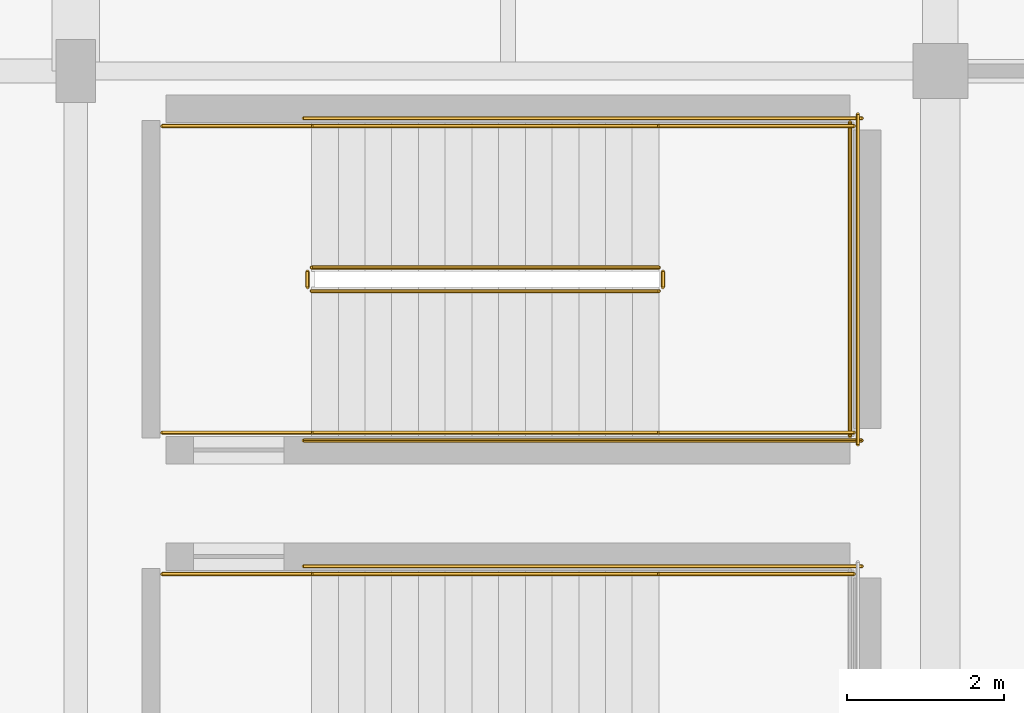
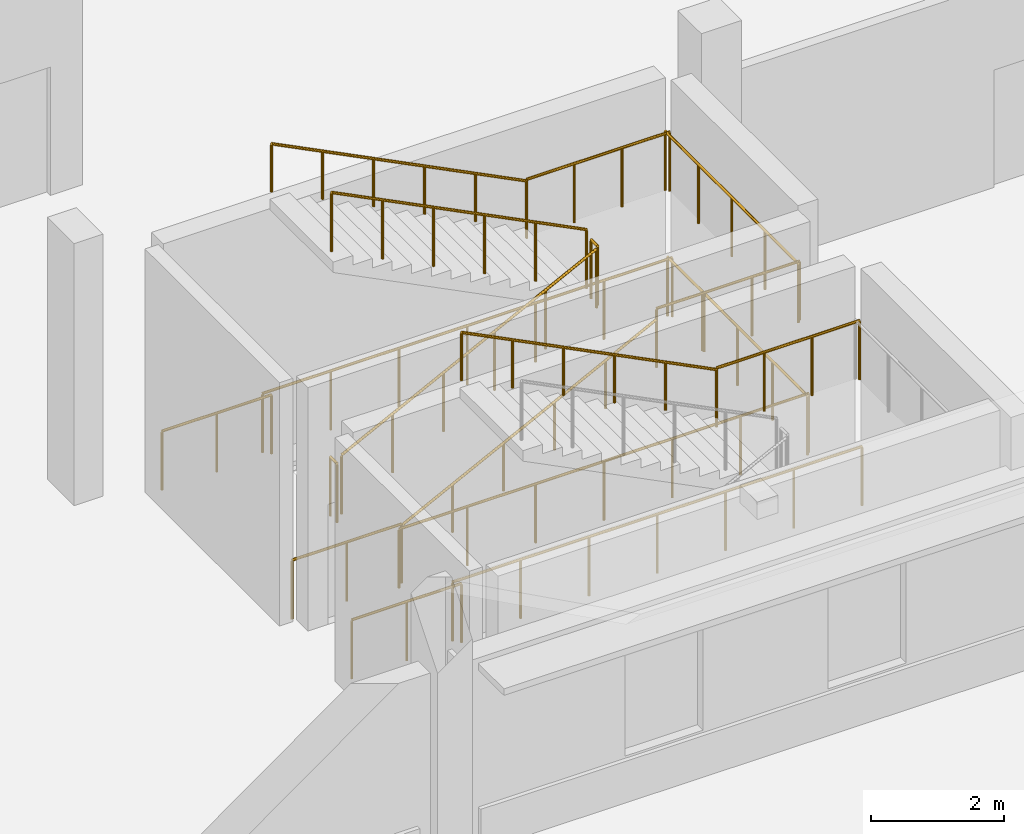
# One storey, part 132 of 143: 18 railings.
"""IFC4 building model written with IfcOpenShell, lengths in metres."""

from ifc_helpers import new_model, si_unit, direction, frame, origin, origin_2d, place, context, subcontext, project, spatial, circle, extrude, material, type_object, element, save


model = new_model("IFC4")

# Units and contexts
model_context = context("Model", 3, precision=1e-05, world=origin(), true_north=direction((0.0, 1.0)))
body_context = subcontext(model_context, "Body", "Model", "MODEL_VIEW")
ifc_project = project(units=[si_unit("LENGTHUNIT", "METRE"), si_unit("AREAUNIT", "SQUARE_METRE"), si_unit("VOLUMEUNIT", "CUBIC_METRE"), si_unit("PLANEANGLEUNIT", "RADIAN"), si_unit("MASSUNIT", "GRAM", prefix="KILO")], contexts=[model_context])

# Site, building, storey
site_placement = place(None, origin())
site = spatial("IfcSite", under=ifc_project, at=site_placement, CompositionType="ELEMENT")
building_placement = place(site_placement, origin())
building = spatial("IfcBuilding", under=site, at=building_placement, Name="Luwafu Chhajja Arena", CompositionType="ELEMENT")
storey_placement = place(building_placement, frame((0.0, 0.0, 5.39990234375)))
storey = spatial("IfcBuildingStorey", under=building, at=storey_placement, Name="L01", CompositionType="ELEMENT", Elevation=5.39990234375)

# Railings
ifc_material_1 = material(Name="Stainless steel handrail", Category="steel")
railing_type_1 = type_object("IfcRailingType", Name="Stair Pitch Wall Handrail 920", PredefinedType="HANDRAIL", material=ifc_material_1)
railing_1_placement = place(storey_placement, frame((183.419921875, 15.60009765625, 2.571533203125)))
element("IfcRailing", 1, at=railing_1_placement, inside=storey, type_object=railing_type_1, Name="L01 ST-15 stair handrail 2", PredefinedType="HANDRAIL", context=body_context, shape_type="SweptSolid", body=[
    extrude(circle(Radius=0.02392578125, at=origin_2d()), frame((0.0, 0.0, 0.8759765625), z_axis=(-0.89292277971, 0.0, 0.450209850486), x_axis=(0.0, -1.0, 0.0)), (0.0, 0.0, 1.0), 4.949951171875),
    extrude(circle(Radius=0.02099609375, at=origin_2d()), origin(), (0.0, 0.0, 1.0), 0.851806640625),
    extrude(circle(Radius=0.02099609375, at=origin_2d()), frame((-0.884033203125, 0.0, 0.44580078125)), (0.0, 0.0, 1.0), 0.851806640625),
    extrude(circle(Radius=0.02099609375, at=origin_2d()), frame((-1.76806640625, 0.0, 0.891357421875)), (0.0, 0.0, 1.0), 0.851806640625),
    extrude(circle(Radius=0.02099609375, at=origin_2d()), frame((-2.65185546875, 0.0, 1.337158203125)), (0.0, 0.0, 1.0), 0.851806640625),
    extrude(circle(Radius=0.02099609375, at=origin_2d()), frame((-3.535888671875, 0.0, 1.78271484375)), (0.0, 0.0, 1.0), 0.851806640625),
    extrude(circle(Radius=0.02099609375, at=origin_2d()), frame((-4.419921875, 0.0, 2.228515625)), (0.0, 0.0, 1.0), 0.851806640625),
])
railing_2_placement = place(storey_placement, frame((179.0, 17.39990234375, 0.171630859375)))
element("IfcRailing", 2, at=railing_2_placement, inside=storey, type_object=railing_type_1, Name="L01 ST-16 stair handrail 1", PredefinedType="HANDRAIL", context=body_context, shape_type="SweptSolid", body=[
    extrude(circle(Radius=0.02392578125, at=origin_2d()), frame((0.0, 0.0, 0.8759765625), z_axis=(0.89292277971, 0.0, 0.450209850486), x_axis=(0.0, 1.0, 0.0)), (0.0, 0.0, 1.0), 4.949951171875),
    extrude(circle(Radius=0.02099609375, at=origin_2d()), origin(), (0.0, 0.0, 1.0), 0.851806640625),
    extrude(circle(Radius=0.02099609375, at=origin_2d()), frame((0.884033203125, 0.0, 0.44580078125)), (0.0, 0.0, 1.0), 0.851806640625),
    extrude(circle(Radius=0.02099609375, at=origin_2d()), frame((1.76806640625, 0.0, 0.891357421875)), (0.0, 0.0, 1.0), 0.851806640625),
    extrude(circle(Radius=0.02099609375, at=origin_2d()), frame((2.65185546875, 0.0, 1.337158203125)), (0.0, 0.0, 1.0), 0.851806640625),
    extrude(circle(Radius=0.02099609375, at=origin_2d()), frame((3.535888671875, 0.0, 1.78271484375)), (0.0, 0.0, 1.0), 0.851806640625),
    extrude(circle(Radius=0.02099609375, at=origin_2d()), frame((4.419921875, 0.0, 2.228515625)), (0.0, 0.0, 1.0), 0.851806640625),
])
railing_3_placement = place(storey_placement, frame((183.419921875, 21.300048828125, 2.571533203125)))
element("IfcRailing", 3, at=railing_3_placement, inside=storey, type_object=railing_type_1, Name="L01 ST-16 stair handrail 2", PredefinedType="HANDRAIL", context=body_context, shape_type="SweptSolid", body=[
    extrude(circle(Radius=0.02392578125, at=origin_2d()), frame((0.0, 0.0, 0.8759765625), z_axis=(-0.89292277971, 0.0, 0.450209850486), x_axis=(0.0, -1.0, 0.0)), (0.0, 0.0, 1.0), 4.949951171875),
    extrude(circle(Radius=0.02099609375, at=origin_2d()), origin(), (0.0, 0.0, 1.0), 0.851806640625),
    extrude(circle(Radius=0.02099609375, at=origin_2d()), frame((-0.884033203125, 0.0, 0.44580078125)), (0.0, 0.0, 1.0), 0.851806640625),
    extrude(circle(Radius=0.02099609375, at=origin_2d()), frame((-1.76806640625, 0.0, 0.891357421875)), (0.0, 0.0, 1.0), 0.851806640625),
    extrude(circle(Radius=0.02099609375, at=origin_2d()), frame((-2.65185546875, 0.0, 1.337158203125)), (0.0, 0.0, 1.0), 0.851806640625),
    extrude(circle(Radius=0.02099609375, at=origin_2d()), frame((-3.535888671875, 0.0, 1.78271484375)), (0.0, 0.0, 1.0), 0.851806640625),
    extrude(circle(Radius=0.02099609375, at=origin_2d()), frame((-4.419921875, 0.0, 2.228515625)), (0.0, 0.0, 1.0), 0.851806640625),
])
ifc_material_2 = material(Name="Stainless steel balustrade", Category="steel")
railing_type_2 = type_object("IfcRailingType", Name="Stair and Terrace Guard Balustrade 1100", PredefinedType="BALUSTRADE", material=ifc_material_2)
railing_4_placement = place(storey_placement, frame((183.419921875, 15.60009765625, 2.400146484375)))
element("IfcRailing", 4, at=railing_4_placement, inside=storey, type_object=railing_type_2, Name="L01 ST-15 stair guard 4", PredefinedType="BALUSTRADE", context=body_context, shape_type="SweptSolid", body=[
    extrude(circle(Radius=0.02392578125, at=origin_2d()), frame((0.0, 0.0, 1.076171875), z_axis=(1.0, 0.0, 0.0), x_axis=(0.0, 1.0, 0.0)), (0.0, 0.0, 1.0), 2.47998046875),
    extrude(circle(Radius=0.02099609375, at=origin_2d()), origin(), (0.0, 0.0, 1.0), 1.052001953125),
    extrude(circle(Radius=0.02099609375, at=origin_2d()), frame((0.82666015625, 0.0, 0.0)), (0.0, 0.0, 1.0), 1.052001953125),
    extrude(circle(Radius=0.02099609375, at=origin_2d()), frame((1.6533203125, 0.0, 0.0)), (0.0, 0.0, 1.0), 1.052001953125),
    extrude(circle(Radius=0.02099609375, at=origin_2d()), frame((2.47998046875, 0.0, 0.0)), (0.0, 0.0, 1.0), 1.052001953125),
])
railing_5_placement = place(storey_placement, frame((177.10009765625, 15.60009765625, 0.0)))
element("IfcRailing", 5, at=railing_5_placement, inside=storey, type_object=railing_type_2, Name="L01 ST-15 stair guard 9", PredefinedType="BALUSTRADE", context=body_context, shape_type="SweptSolid", body=[
    extrude(circle(Radius=0.02392578125, at=origin_2d()), frame((0.0, 0.0, 1.076171875), z_axis=(1.0, 0.0, 0.0), x_axis=(0.0, 1.0, 0.0)), (0.0, 0.0, 1.0), 1.89990234375),
    extrude(circle(Radius=0.02099609375, at=origin_2d()), origin(), (0.0, 0.0, 1.0), 1.052001953125),
    extrude(circle(Radius=0.02099609375, at=origin_2d()), frame((0.949951171875, 0.0, 0.0)), (0.0, 0.0, 1.0), 1.052001953125),
    extrude(circle(Radius=0.02099609375, at=origin_2d()), frame((1.89990234375, 0.0, 0.0)), (0.0, 0.0, 1.0), 1.052001953125),
])
railing_6_placement = place(storey_placement, frame((178.89990234375, 15.699951171875, 0.0)))
element("IfcRailing", 6, at=railing_6_placement, inside=storey, type_object=railing_type_2, Name="L01 ST-15 stair guard 11", PredefinedType="BALUSTRADE", context=body_context, shape_type="SweptSolid", body=[
    extrude(circle(Radius=0.02392578125, at=origin_2d()), frame((0.0, 0.0, 1.076171875), z_axis=(1.0, 0.0, 0.0), x_axis=(0.0, 1.0, 0.0)), (0.0, 0.0, 1.0), 7.10009765625),
    extrude(circle(Radius=0.02099609375, at=origin_2d()), origin(), (0.0, 0.0, 1.0), 1.052001953125),
    extrude(circle(Radius=0.02099609375, at=origin_2d()), frame((1.183349609375, 0.0, 0.0)), (0.0, 0.0, 1.0), 1.052001953125),
    extrude(circle(Radius=0.02099609375, at=origin_2d()), frame((2.36669921875, 0.0, 0.0)), (0.0, 0.0, 1.0), 1.052001953125),
    extrude(circle(Radius=0.02099609375, at=origin_2d()), frame((3.550048828125, 0.0, 0.0)), (0.0, 0.0, 1.0), 1.052001953125),
    extrude(circle(Radius=0.02099609375, at=origin_2d()), frame((4.7333984375, 0.0, 0.0)), (0.0, 0.0, 1.0), 1.052001953125),
    extrude(circle(Radius=0.02099609375, at=origin_2d()), frame((5.916748046875, 0.0, 0.0)), (0.0, 0.0, 1.0), 1.052001953125),
    extrude(circle(Radius=0.02099609375, at=origin_2d()), frame((7.10009765625, 0.0, 0.0)), (0.0, 0.0, 1.0), 1.052001953125),
])
railing_7_placement = place(storey_placement, frame((179.0, 19.199951171875, 0.171630859375)))
element("IfcRailing", 7, at=railing_7_placement, inside=storey, type_object=railing_type_2, Name="L01 ST-16 stair guard 1", PredefinedType="BALUSTRADE", context=body_context, shape_type="SweptSolid", body=[
    extrude(circle(Radius=0.02392578125, at=origin_2d()), frame((0.0, 0.0, 1.076171875), z_axis=(0.89292277971, 0.0, 0.450209850486), x_axis=(0.0, 1.0, 0.0)), (0.0, 0.0, 1.0), 4.949951171875),
    extrude(circle(Radius=0.02099609375, at=origin_2d()), origin(), (0.0, 0.0, 1.0), 1.052001953125),
    extrude(circle(Radius=0.02099609375, at=origin_2d()), frame((0.884033203125, 0.0, 0.44580078125)), (0.0, 0.0, 1.0), 1.052001953125),
    extrude(circle(Radius=0.02099609375, at=origin_2d()), frame((1.76806640625, 0.0, 0.891357421875)), (0.0, 0.0, 1.0), 1.052001953125),
    extrude(circle(Radius=0.02099609375, at=origin_2d()), frame((2.65185546875, 0.0, 1.337158203125)), (0.0, 0.0, 1.0), 1.052001953125),
    extrude(circle(Radius=0.02099609375, at=origin_2d()), frame((3.535888671875, 0.0, 1.78271484375)), (0.0, 0.0, 1.0), 1.052001953125),
    extrude(circle(Radius=0.02099609375, at=origin_2d()), frame((4.419921875, 0.0, 2.228515625)), (0.0, 0.0, 1.0), 1.052001953125),
])
railing_8_placement = place(storey_placement, frame((183.469970703125, 19.25, 2.400146484375)))
element("IfcRailing", 8, at=railing_8_placement, inside=storey, type_object=railing_type_2, Name="L01 ST-16 stair guard 2", PredefinedType="BALUSTRADE", context=body_context, shape_type="SweptSolid", body=[
    extrude(circle(Radius=0.02392578125, at=origin_2d()), frame((0.0, 0.0, 1.076171875), z_axis=(0.0, 1.0, 0.0), x_axis=(-1.0, 0.0, 0.0)), (0.0, 0.0, 1.0), 0.199951171875),
    extrude(circle(Radius=0.02099609375, at=origin_2d()), origin(), (0.0, 0.0, 1.0), 1.052001953125),
    extrude(circle(Radius=0.02099609375, at=origin_2d()), frame((0.0, 0.199951171875, 0.0)), (0.0, 0.0, 1.0), 1.052001953125),
])
for number, where, name in (
    (9, (183.419921875, 17.39990234375, 2.400146484375), "L01 ST-16 stair guard 3"),
    (10, (183.419921875, 21.300048828125, 2.400146484375), "L01 ST-16 stair guard 4"),
):
    element("IfcRailing", number, at=place(storey_placement, frame(where)), inside=storey, type_object=railing_type_2, Name=name, PredefinedType="BALUSTRADE", context=body_context, shape_type="SweptSolid", body=[
        extrude(circle(Radius=0.02392578125, at=origin_2d()), frame((0.0, 0.0, 1.076171875), z_axis=(1.0, 0.0, 0.0), x_axis=(0.0, 1.0, 0.0)), (0.0, 0.0, 1.0), 2.47998046875),
        extrude(circle(Radius=0.02099609375, at=origin_2d()), origin(), (0.0, 0.0, 1.0), 1.052001953125),
        extrude(circle(Radius=0.02099609375, at=origin_2d()), frame((0.82666015625, 0.0, 0.0)), (0.0, 0.0, 1.0), 1.052001953125),
        extrude(circle(Radius=0.02099609375, at=origin_2d()), frame((1.6533203125, 0.0, 0.0)), (0.0, 0.0, 1.0), 1.052001953125),
        extrude(circle(Radius=0.02099609375, at=origin_2d()), frame((2.47998046875, 0.0, 0.0)), (0.0, 0.0, 1.0), 1.052001953125),
    ])
railing_9_placement = place(storey_placement, frame((185.85009765625, 17.35009765625, 2.400146484375)))
element("IfcRailing", 11, at=railing_9_placement, inside=storey, type_object=railing_type_2, Name="L01 ST-16 stair guard 5", PredefinedType="BALUSTRADE", context=body_context, shape_type="SweptSolid", body=[
    extrude(circle(Radius=0.02392578125, at=origin_2d()), frame((0.0, 0.0, 1.076171875), z_axis=(0.0, 1.0, 0.0), x_axis=(-1.0, 0.0, 0.0)), (0.0, 0.0, 1.0), 4.0),
    extrude(circle(Radius=0.02099609375, at=origin_2d()), origin(), (0.0, 0.0, 1.0), 1.052001953125),
    extrude(circle(Radius=0.02099609375, at=origin_2d()), frame((0.0, 1.0, 0.0)), (0.0, 0.0, 1.0), 1.052001953125),
    extrude(circle(Radius=0.02099609375, at=origin_2d()), frame((0.0, 2.0, 0.0)), (0.0, 0.0, 1.0), 1.052001953125),
    extrude(circle(Radius=0.02099609375, at=origin_2d()), frame((0.0, 3.0, 0.0)), (0.0, 0.0, 1.0), 1.052001953125),
    extrude(circle(Radius=0.02099609375, at=origin_2d()), frame((0.0, 4.0, 0.0)), (0.0, 0.0, 1.0), 1.052001953125),
])
railing_10_placement = place(storey_placement, frame((183.419921875, 19.5, 2.571533203125)))
element("IfcRailing", 12, at=railing_10_placement, inside=storey, type_object=railing_type_2, Name="L01 ST-16 stair guard 6", PredefinedType="BALUSTRADE", context=body_context, shape_type="SweptSolid", body=[
    extrude(circle(Radius=0.02392578125, at=origin_2d()), frame((0.0, 0.0, 1.076171875), z_axis=(-0.89292277971, 0.0, 0.450209850486), x_axis=(0.0, -1.0, 0.0)), (0.0, 0.0, 1.0), 4.949951171875),
    extrude(circle(Radius=0.02099609375, at=origin_2d()), origin(), (0.0, 0.0, 1.0), 1.052001953125),
    extrude(circle(Radius=0.02099609375, at=origin_2d()), frame((-0.884033203125, 0.0, 0.44580078125)), (0.0, 0.0, 1.0), 1.052001953125),
    extrude(circle(Radius=0.02099609375, at=origin_2d()), frame((-1.76806640625, 0.0, 0.891357421875)), (0.0, 0.0, 1.0), 1.052001953125),
    extrude(circle(Radius=0.02099609375, at=origin_2d()), frame((-2.65185546875, 0.0, 1.337158203125)), (0.0, 0.0, 1.0), 1.052001953125),
    extrude(circle(Radius=0.02099609375, at=origin_2d()), frame((-3.535888671875, 0.0, 1.78271484375)), (0.0, 0.0, 1.0), 1.052001953125),
    extrude(circle(Radius=0.02099609375, at=origin_2d()), frame((-4.419921875, 0.0, 2.228515625)), (0.0, 0.0, 1.0), 1.052001953125),
])
railing_11_placement = place(storey_placement, frame((178.949951171875, 19.25, 0.0)))
element("IfcRailing", 13, at=railing_11_placement, inside=storey, type_object=railing_type_2, Name="L01 ST-16 stair guard 7", PredefinedType="BALUSTRADE", context=body_context, shape_type="SweptSolid", body=[
    extrude(circle(Radius=0.02392578125, at=origin_2d()), frame((0.0, 0.0, 1.076171875), z_axis=(0.0, 1.0, 0.0), x_axis=(-1.0, 0.0, 0.0)), (0.0, 0.0, 1.0), 0.199951171875),
    extrude(circle(Radius=0.02099609375, at=origin_2d()), origin(), (0.0, 0.0, 1.0), 1.052001953125),
    extrude(circle(Radius=0.02099609375, at=origin_2d()), frame((0.0, 0.199951171875, 0.0)), (0.0, 0.0, 1.0), 1.052001953125),
])
for number, where, name in (
    (14, (177.10009765625, 17.39990234375, 0.0), "L01 ST-16 stair guard 8"),
    (15, (177.10009765625, 21.300048828125, 0.0), "L01 ST-16 stair guard 9"),
):
    element("IfcRailing", number, at=place(storey_placement, frame(where)), inside=storey, type_object=railing_type_2, Name=name, PredefinedType="BALUSTRADE", context=body_context, shape_type="SweptSolid", body=[
        extrude(circle(Radius=0.02392578125, at=origin_2d()), frame((0.0, 0.0, 1.076171875), z_axis=(1.0, 0.0, 0.0), x_axis=(0.0, 1.0, 0.0)), (0.0, 0.0, 1.0), 1.89990234375),
        extrude(circle(Radius=0.02099609375, at=origin_2d()), origin(), (0.0, 0.0, 1.0), 1.052001953125),
        extrude(circle(Radius=0.02099609375, at=origin_2d()), frame((0.949951171875, 0.0, 0.0)), (0.0, 0.0, 1.0), 1.052001953125),
        extrude(circle(Radius=0.02099609375, at=origin_2d()), frame((1.89990234375, 0.0, 0.0)), (0.0, 0.0, 1.0), 1.052001953125),
    ])
for number, where, name in (
    (16, (178.89990234375, 17.300048828125, 0.0), "L01 ST-16 stair guard 10"),
    (17, (178.89990234375, 21.39990234375, 0.0), "L01 ST-16 stair guard 11"),
):
    element("IfcRailing", number, at=place(storey_placement, frame(where)), inside=storey, type_object=railing_type_2, Name=name, PredefinedType="BALUSTRADE", context=body_context, shape_type="SweptSolid", body=[
        extrude(circle(Radius=0.02392578125, at=origin_2d()), frame((0.0, 0.0, 1.076171875), z_axis=(1.0, 0.0, 0.0), x_axis=(0.0, 1.0, 0.0)), (0.0, 0.0, 1.0), 7.10009765625),
        extrude(circle(Radius=0.02099609375, at=origin_2d()), origin(), (0.0, 0.0, 1.0), 1.052001953125),
        extrude(circle(Radius=0.02099609375, at=origin_2d()), frame((1.183349609375, 0.0, 0.0)), (0.0, 0.0, 1.0), 1.052001953125),
        extrude(circle(Radius=0.02099609375, at=origin_2d()), frame((2.36669921875, 0.0, 0.0)), (0.0, 0.0, 1.0), 1.052001953125),
        extrude(circle(Radius=0.02099609375, at=origin_2d()), frame((3.550048828125, 0.0, 0.0)), (0.0, 0.0, 1.0), 1.052001953125),
        extrude(circle(Radius=0.02099609375, at=origin_2d()), frame((4.7333984375, 0.0, 0.0)), (0.0, 0.0, 1.0), 1.052001953125),
        extrude(circle(Radius=0.02099609375, at=origin_2d()), frame((5.916748046875, 0.0, 0.0)), (0.0, 0.0, 1.0), 1.052001953125),
        extrude(circle(Radius=0.02099609375, at=origin_2d()), frame((7.10009765625, 0.0, 0.0)), (0.0, 0.0, 1.0), 1.052001953125),
    ])
railing_12_placement = place(storey_placement, frame((185.949951171875, 17.25, 0.0)))
element("IfcRailing", 18, at=railing_12_placement, inside=storey, type_object=railing_type_2, Name="L01 ST-16 stair guard 12", PredefinedType="BALUSTRADE", context=body_context, shape_type="SweptSolid", body=[
    extrude(circle(Radius=0.02392578125, at=origin_2d()), frame((0.0, 0.0, 1.076171875), z_axis=(0.0, 1.0, 0.0), x_axis=(-1.0, 0.0, 0.0)), (0.0, 0.0, 1.0), 4.199951171875),
    extrude(circle(Radius=0.02099609375, at=origin_2d()), origin(), (0.0, 0.0, 1.0), 1.052001953125),
    extrude(circle(Radius=0.02099609375, at=origin_2d()), frame((0.0, 1.050048828125, 0.0)), (0.0, 0.0, 1.0), 1.052001953125),
    extrude(circle(Radius=0.02099609375, at=origin_2d()), frame((0.0, 2.10009765625, 0.0)), (0.0, 0.0, 1.0), 1.052001953125),
    extrude(circle(Radius=0.02099609375, at=origin_2d()), frame((0.0, 3.14990234375, 0.0)), (0.0, 0.0, 1.0), 1.052001953125),
    extrude(circle(Radius=0.02099609375, at=origin_2d()), frame((0.0, 4.199951171875, 0.0)), (0.0, 0.0, 1.0), 1.052001953125),
])

save(model, "model.ifc")
